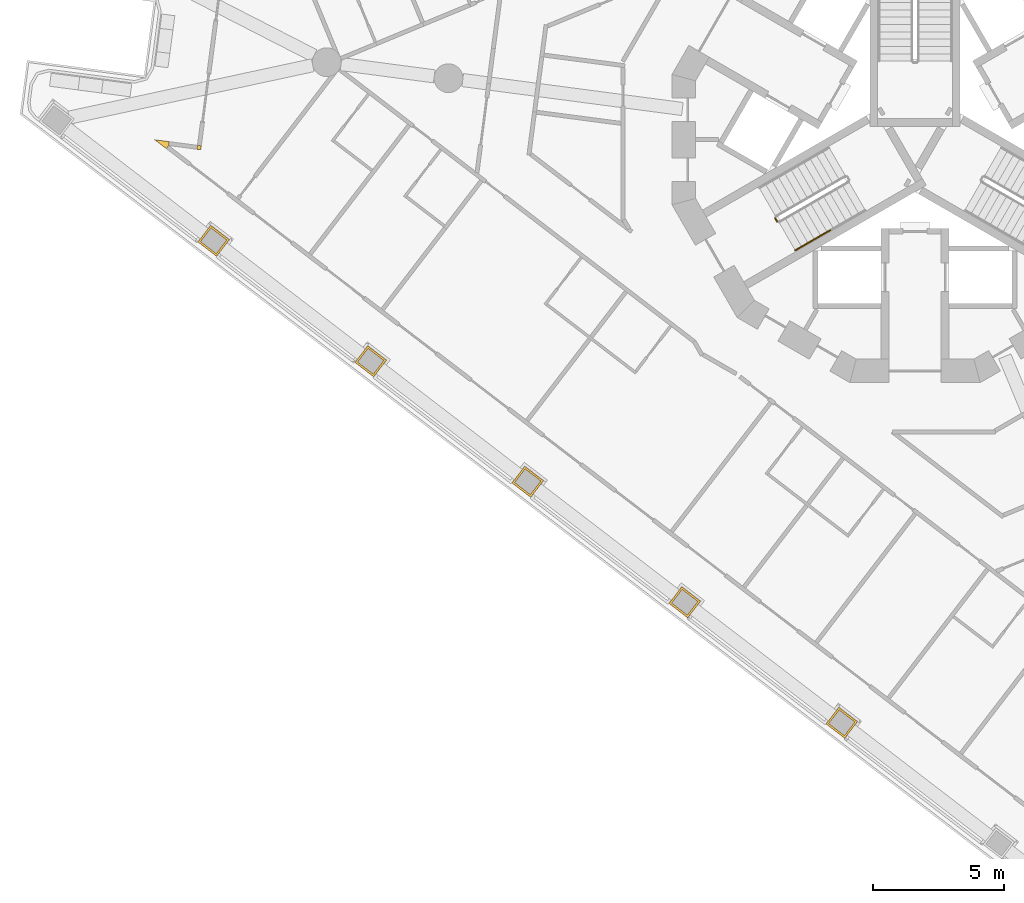
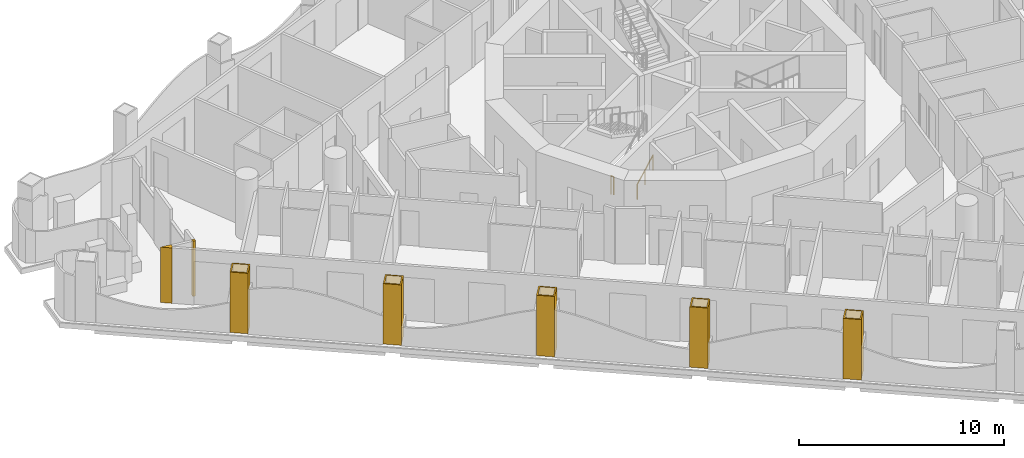
# One storey, part 11 of 17: 7 coverings, 2 railings.
"""IFC4 building model written with IfcOpenShell, lengths in metres."""

from ifc_helpers import new_model, si_unit, direction, frame, origin, origin_2d, place, context, subcontext, project, spatial, polyline, circle, outline, extrude, material, layer, layer_set, type_object, element, save


model = new_model("IFC4")

# Units and contexts
model_context = context("Model", 3, precision=1e-05, world=origin(), true_north=direction((0.0, 1.0)))
body_context = subcontext(model_context, "Body", "Model", "MODEL_VIEW")
ifc_project = project(units=[si_unit("LENGTHUNIT", "METRE"), si_unit("AREAUNIT", "SQUARE_METRE"), si_unit("VOLUMEUNIT", "CUBIC_METRE"), si_unit("PLANEANGLEUNIT", "RADIAN"), si_unit("MASSUNIT", "GRAM", prefix="KILO")], contexts=[model_context])

# Site, building, storey
site_placement = place(None, origin())
site = spatial("IfcSite", under=ifc_project, at=site_placement, CompositionType="ELEMENT")
building_placement = place(site_placement, origin())
building = spatial("IfcBuilding", under=site, at=building_placement, Name="Trine Commons Tower", CompositionType="ELEMENT")
storey_placement = place(building_placement, frame((0.0, 0.0, 131.39990234375)))
storey = spatial("IfcBuildingStorey", under=building, at=storey_placement, Name="L33", CompositionType="ELEMENT", Elevation=131.39990234375)

# Coverings
ifc_material_1 = material(Name="Aluminium-framed insulated wall panel", Category="aluminium")
ifc_layer_1 = layer(ifc_material_1, 0.14990234375)
ifc_layer_set_1 = layer_set([ifc_layer_1], Name="Aluminium-framed insulated wall panel")
covering_type_1 = type_object("IfcCoveringType", Name="Glazing corner post, aluminium", PredefinedType="CLADDING", material=ifc_layer_set_1)
covering_1_placement = place(storey_placement, origin())
element("IfcCovering", 1, at=covering_1_placement, inside=storey, type_object=covering_type_1, Name="Glazing corner post 4-01", PredefinedType="CLADDING", context=body_context, shape_type="SweptSolid", body=[
    extrude(outline(polyline([(51.43359375, 62.15576171875), (51.52490234375, 62.27490234375), (51.54443359375, 62.423583984375), (50.989501953125, 62.49658203125), (51.43359375, 62.15576171875)])), origin(), (0.0, 0.0, 1.0), 3.300048828125),
])
covering_2_placement = place(storey_placement, origin())
element("IfcCovering", 2, at=covering_2_placement, inside=storey, type_object=covering_type_1, Name="Glazing corner post 4-02", PredefinedType="CLADDING", context=body_context, shape_type="SweptSolid", body=[
    extrude(outline(polyline([(52.601318359375, 62.133056640625), (52.75, 62.113525390625), (52.76953125, 62.26220703125), (52.620849609375, 62.28173828125), (52.601318359375, 62.133056640625)])), origin(), (0.0, 0.0, 1.0), 3.300048828125),
])
ifc_material_2 = material(Name="Limestone, honed", Category="masonry")
ifc_layer_2 = layer(ifc_material_2, 0.074951171875)
ifc_layer_set_2 = layer_set([ifc_layer_2], Name="Limestone, honed")
covering_type_2 = type_object("IfcCoveringType", Name="Limestone column cladding 75", PredefinedType="CLADDING", material=ifc_layer_set_2)
covering_3_placement = place(storey_placement, origin())
element("IfcCovering", 3, at=covering_3_placement, inside=storey, type_object=covering_type_2, Name="Limestone pier cladding 4-03", PredefinedType="CLADDING", context=body_context, shape_type="SweptSolid", body=[
    extrude(outline(polyline([(77.092041015625, 40.84130859375), (76.60498046875, 40.206787109375), (77.319091796875, 39.65869140625), (77.805908203125, 40.29345703125), (77.092041015625, 40.84130859375)]), holes=[polyline([(77.105712890625, 40.736083984375), (76.710205078125, 40.220458984375), (77.30517578125, 39.763916015625), (77.700927734375, 40.27978515625), (77.105712890625, 40.736083984375)])]), origin(), (0.0, 0.0, 1.0), 3.60009765625),
])
covering_4_placement = place(storey_placement, origin())
element("IfcCovering", 4, at=covering_4_placement, inside=storey, type_object=covering_type_2, Name="Limestone pier cladding 4-04", PredefinedType="CLADDING", context=body_context, shape_type="SweptSolid", body=[
    extrude(outline(polyline([(71.1005859375, 45.438720703125), (70.61376953125, 44.803955078125), (71.32763671875, 44.256103515625), (71.814697265625, 44.890869140625), (71.1005859375, 45.438720703125)]), holes=[polyline([(71.114501953125, 45.33349609375), (70.71875, 44.81787109375), (71.31396484375, 44.361328125), (71.709716796875, 44.876953125), (71.114501953125, 45.33349609375)])]), origin(), (0.0, 0.0, 1.0), 3.60009765625),
])
covering_5_placement = place(storey_placement, origin())
element("IfcCovering", 5, at=covering_5_placement, inside=storey, type_object=covering_type_2, Name="Limestone pier cladding 4-05", PredefinedType="CLADDING", context=body_context, shape_type="SweptSolid", body=[
    extrude(outline(polyline([(65.109375, 50.035888671875), (64.622314453125, 49.4013671875), (65.336181640625, 48.853515625), (65.8232421875, 49.488037109375), (65.109375, 50.035888671875)]), holes=[polyline([(65.123046875, 49.930908203125), (64.727294921875, 49.4150390625), (65.322509765625, 48.95849609375), (65.71826171875, 49.474365234375), (65.123046875, 49.930908203125)])]), origin(), (0.0, 0.0, 1.0), 3.60009765625),
])
covering_6_placement = place(storey_placement, origin())
element("IfcCovering", 6, at=covering_6_placement, inside=storey, type_object=covering_type_2, Name="Limestone pier cladding 4-06", PredefinedType="CLADDING", context=body_context, shape_type="SweptSolid", body=[
    extrude(outline(polyline([(59.117919921875, 54.63330078125), (58.631103515625, 53.998779296875), (59.344970703125, 53.45068359375), (59.83203125, 54.08544921875), (59.117919921875, 54.63330078125)]), holes=[polyline([(59.1318359375, 54.5283203125), (58.736083984375, 54.012451171875), (59.331298828125, 53.555908203125), (59.726806640625, 54.07177734375), (59.1318359375, 54.5283203125)])]), origin(), (0.0, 0.0, 1.0), 3.60009765625),
])
covering_7_placement = place(storey_placement, origin())
element("IfcCovering", 7, at=covering_7_placement, inside=storey, type_object=covering_type_2, Name="Limestone pier cladding 4-07", PredefinedType="CLADDING", context=body_context, shape_type="SweptSolid", body=[
    extrude(outline(polyline([(53.126708984375, 59.230712890625), (52.6396484375, 58.595947265625), (53.353515625, 58.048095703125), (53.840576171875, 58.682861328125), (53.126708984375, 59.230712890625)]), holes=[polyline([(53.140380859375, 59.12548828125), (52.74462890625, 58.60986328125), (53.33984375, 58.1533203125), (53.735595703125, 58.6689453125), (53.140380859375, 59.12548828125)])]), origin(), (0.0, 0.0, 1.0), 3.60009765625),
])

# Railings
ifc_material_3 = material(Name="Stainless steel balustrade", Category="steel")
railing_type_1 = type_object("IfcRailingType", Name="Stair guard, steel balustrade 1100", PredefinedType="GUARDRAIL", material=ifc_material_3)
railing_1_placement = place(storey_placement, frame((74.73681640625, 59.374755859375, 0.0)))
element("IfcRailing", 8, at=railing_1_placement, inside=storey, type_object=railing_type_1, Name="L33 ST2B stair guard 4", PredefinedType="GUARDRAIL", context=body_context, shape_type="SweptSolid", body=[
    extrude(circle(Radius=0.02392578125, at=origin_2d()), frame((0.0, 0.0, 1.076171875), z_axis=(-0.499816412211, 0.866131372301, 0.0), x_axis=(-0.866131372301, -0.499816412211, 0.0)), (0.0, 0.0, 1.0), 0.14990234375),
    extrude(circle(Radius=0.02099609375, at=origin_2d()), origin(), (0.0, 0.0, 1.0), 1.052001953125),
    extrude(circle(Radius=0.02099609375, at=origin_2d()), frame((-0.074951171875, 0.1298828125, 0.0)), (0.0, 0.0, 1.0), 1.052001953125),
])
ifc_material_4 = material(Name="Stainless steel handrail", Category="steel")
railing_type_2 = type_object("IfcRailingType", Name="Stair handrail, steel 900", PredefinedType="HANDRAIL", material=ifc_material_4)
railing_2_placement = place(storey_placement, frame((75.43017578125, 58.27392578125, 0.150146484375)))
element("IfcRailing", 9, at=railing_2_placement, inside=storey, type_object=railing_type_2, Name="L33 ST2B stair handrail 1", PredefinedType="HANDRAIL", context=body_context, shape_type="SweptSolid", body=[
    extrude(circle(Radius=0.02099609375, at=origin_2d()), frame((0.0, 0.0, 0.87890625), z_axis=(0.76340495495, 0.440743040072, 0.472184759798), x_axis=(-0.499992328818, 0.866029832698, 0.0)), (0.0, 0.0, 1.0), 1.7470703125),
    extrude(circle(Radius=0.01513671875, at=origin_2d()), origin(), (0.0, 0.0, 1.0), 0.85791015625),
    extrude(circle(Radius=0.01513671875, at=origin_2d()), frame((0.6669921875, 0.385009765625, 0.41259765625)), (0.0, 0.0, 1.0), 0.85791015625),
    extrude(circle(Radius=0.01513671875, at=origin_2d()), frame((1.333740234375, 0.77001953125, 0.824951171875)), (0.0, 0.0, 1.0), 0.85791015625),
])

save(model, "model.ifc")
